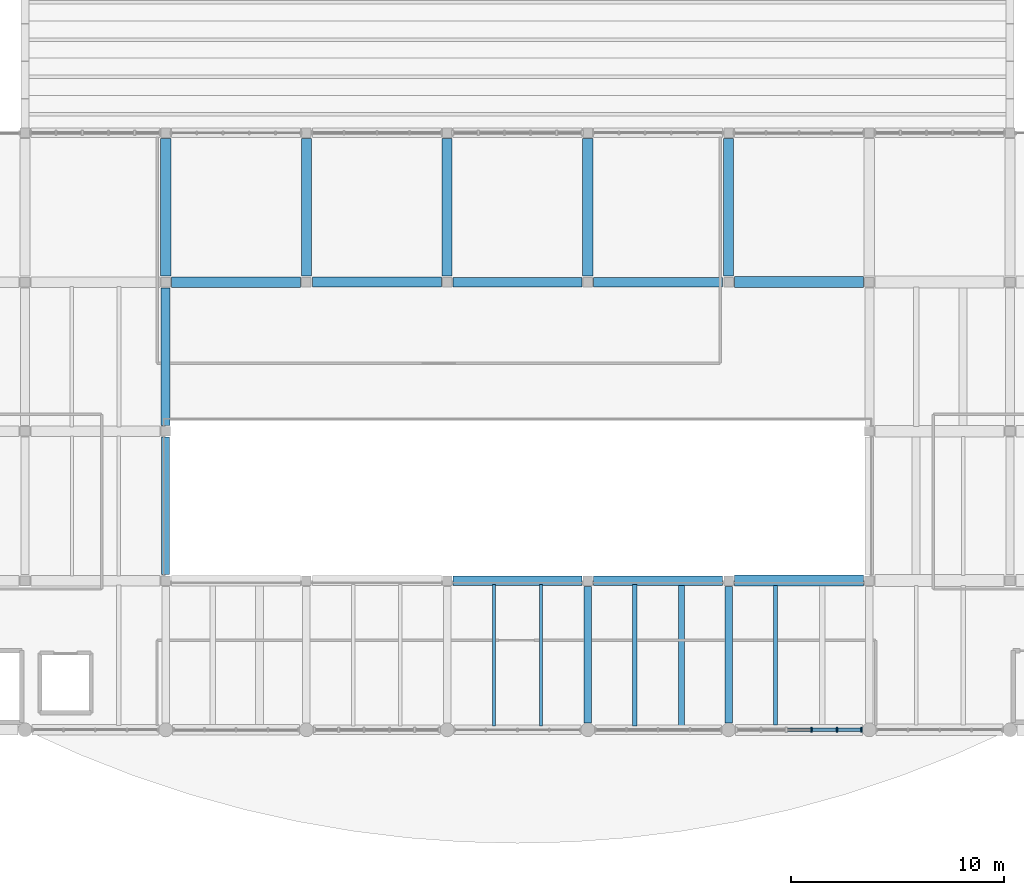
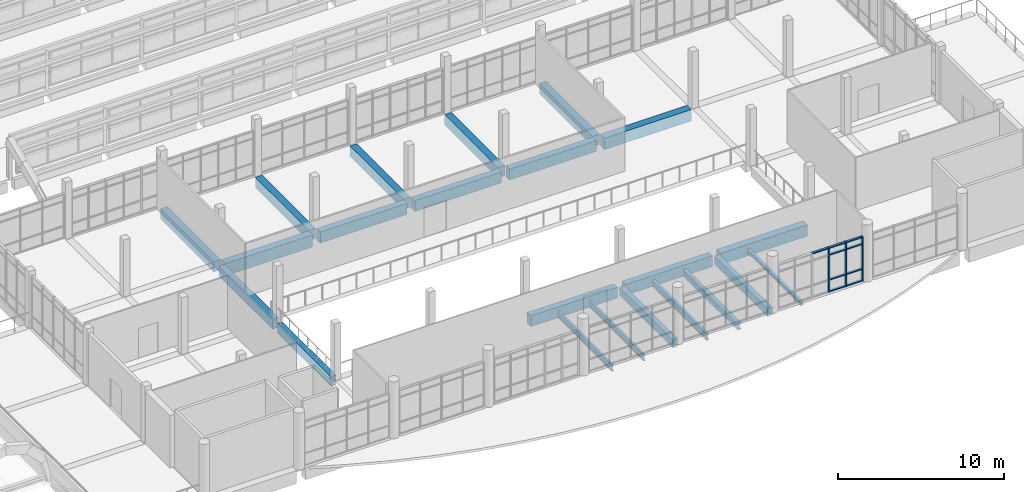
# One storey, part 10 of 92: 22 beams, 12 members, 1 element without a shape of its own.
"""IFC4 building model written with IfcOpenShell, lengths in metres."""

from ifc_helpers import new_model, si_unit, direction, frame, origin, origin_2d, place, context, subcontext, project, spatial, rectangle, i_section, extrude, material, material_profile, profile_set, type_object, element, aggregate, save


model = new_model("IFC4")

# Units and contexts
model_context = context("Model", 3, precision=1e-05, world=origin(), true_north=direction((0.0, 1.0)))
body_context = subcontext(model_context, "Body", "Model", "MODEL_VIEW")
ifc_project = project(units=[si_unit("LENGTHUNIT", "METRE"), si_unit("AREAUNIT", "SQUARE_METRE"), si_unit("VOLUMEUNIT", "CUBIC_METRE"), si_unit("PLANEANGLEUNIT", "RADIAN"), si_unit("MASSUNIT", "GRAM", prefix="KILO")], contexts=[model_context])

# Site, building, storey
site_placement = place(None, origin())
site = spatial("IfcSite", under=ifc_project, at=site_placement, CompositionType="ELEMENT")
building_placement = place(site_placement, origin())
building = spatial("IfcBuilding", under=site, at=building_placement, Name="Ciguamira Faculty of Natural Sciences", CompositionType="ELEMENT")
storey_placement = place(building_placement, frame((0.0, 0.0, 16.800048828125)))
storey = spatial("IfcBuildingStorey", under=building, at=storey_placement, Name="L04", CompositionType="ELEMENT", Elevation=16.800048828125)

# Curtain wall, members
ifc_material_1 = material(Name="Anodized aluminium curtain wall", Category="aluminium")
curtain_wall_type = type_object("IfcCurtainWallType", Name="CurtainWall_CW-03", PredefinedType="USERDEFINED", material=ifc_material_1)
curtain_wall_placement = place(storey_placement, origin())
curtain_wall = element("IfcCurtainWall", 1, at=curtain_wall_placement, inside=storey, type_object=curtain_wall_type, Name="L04 unitised curtain wall 0111", ObjectType="UNITISED CURTAIN WALL", PredefinedType="USERDEFINED")
ifc_material_2 = material(Name="Anodized aluminium mullion", Category="aluminium")
ifc_material_profile_1 = material_profile(ifc_material_2, rectangle(XDim=0.080078125, YDim=0.219970703125, at=origin_2d()), Name="ALU-MUL-80X220")
ifc_profile_set_1 = profile_set([ifc_material_profile_1], Name="Anodized aluminium mullion")
member_type_1 = type_object("IfcMemberType", Name="CWMullion_CWM-03", PredefinedType="MULLION", material=ifc_profile_set_1)
member_1_placement = place(storey_placement, frame((100.794921875, 10.0, 0.0), z_axis=(0.0, 0.0, 1.0), x_axis=(1.0, 0.0, 0.0)))
member_1 = element("IfcMember", 2, at=member_1_placement, type_object=member_type_1, Name="CW-03 mullion 4", PredefinedType="MULLION", context=body_context, shape_type="SweptSolid", body=[
    extrude(rectangle(XDim=0.080078125, YDim=0.219970703125, at=origin_2d()), origin(), (0.0, 0.0, 1.0), 3.284912109375),
])
member_2_placement = place(storey_placement, frame((101.985107421875, 10.0, 0.0), z_axis=(0.0, 0.0, 1.0), x_axis=(1.0, 0.0, 0.0)))
member_2 = element("IfcMember", 3, at=member_2_placement, type_object=member_type_1, Name="CW-03 mullion 5", PredefinedType="MULLION", context=body_context, shape_type="SweptSolid", body=[
    extrude(rectangle(XDim=0.080078125, YDim=0.219970703125, at=origin_2d()), origin(), (0.0, 0.0, 1.0), 3.284912109375),
])
member_3_placement = place(storey_placement, frame((103.135009765625, 10.0, 0.0), z_axis=(0.0, 0.0, 1.0), x_axis=(1.0, 0.0, 0.0)))
member_3 = element("IfcMember", 4, at=member_3_placement, type_object=member_type_1, Name="CW-03 mullion 6", PredefinedType="MULLION", context=body_context, shape_type="SweptSolid", body=[
    extrude(rectangle(XDim=0.080078125, YDim=0.219970703125, at=origin_2d()), origin(), (0.0, 0.0, 1.0), 3.284912109375),
])
ifc_material_3 = material(Name="Anodized aluminium transom", Category="aluminium")
ifc_material_profile_2 = material_profile(ifc_material_3, rectangle(XDim=0.080078125, YDim=0.159912109375, at=origin_2d()), Name="ALU-TRN-80X160")
ifc_profile_set_2 = profile_set([ifc_material_profile_2], Name="Anodized aluminium transom")
member_type_2 = type_object("IfcMemberType", Name="CWTransom_CWT-03", PredefinedType="USERDEFINED", material=ifc_profile_set_2)
member_4_placement = place(storey_placement, frame((99.64501953125, 10.0, 3.244873046875), z_axis=(1.0, 0.0, 0.0), x_axis=(0.0, 0.0, 1.0)))
member_4 = element("IfcMember", 5, at=member_4_placement, type_object=member_type_2, Name="CW-03 transom 3.4", ObjectType="TRANSOM", PredefinedType="USERDEFINED", context=body_context, shape_type="SweptSolid", body=[
    extrude(rectangle(XDim=0.080078125, YDim=0.159912109375, at=origin_2d()), origin(), (0.0, 0.0, 1.0), 1.10986328125),
])
member_5_placement = place(storey_placement, frame((100.8349609375, 10.0, 0.0400390625), z_axis=(1.0, 0.0, 0.0), x_axis=(0.0, 0.0, 1.0)))
member_5 = element("IfcMember", 6, at=member_5_placement, type_object=member_type_2, Name="CW-03 transom 4.1", ObjectType="TRANSOM", PredefinedType="USERDEFINED", context=body_context, shape_type="SweptSolid", body=[
    extrude(rectangle(XDim=0.080078125, YDim=0.159912109375, at=origin_2d()), origin(), (0.0, 0.0, 1.0), 1.110107421875),
])
member_6_placement = place(storey_placement, frame((100.8349609375, 10.0, 0.89990234375), z_axis=(1.0, 0.0, 0.0), x_axis=(0.0, 0.0, 1.0)))
member_6 = element("IfcMember", 7, at=member_6_placement, type_object=member_type_2, Name="CW-03 transom 4.2", ObjectType="TRANSOM", PredefinedType="USERDEFINED", context=body_context, shape_type="SweptSolid", body=[
    extrude(rectangle(XDim=0.080078125, YDim=0.159912109375, at=origin_2d()), origin(), (0.0, 0.0, 1.0), 1.110107421875),
])
member_7_placement = place(storey_placement, frame((100.8349609375, 10.0, 2.73486328125), z_axis=(1.0, 0.0, 0.0), x_axis=(0.0, 0.0, 1.0)))
member_7 = element("IfcMember", 8, at=member_7_placement, type_object=member_type_2, Name="CW-03 transom 4.3", ObjectType="TRANSOM", PredefinedType="USERDEFINED", context=body_context, shape_type="SweptSolid", body=[
    extrude(rectangle(XDim=0.080078125, YDim=0.159912109375, at=origin_2d()), origin(), (0.0, 0.0, 1.0), 1.110107421875),
])
member_8_placement = place(storey_placement, frame((100.8349609375, 10.0, 3.244873046875), z_axis=(1.0, 0.0, 0.0), x_axis=(0.0, 0.0, 1.0)))
member_8 = element("IfcMember", 9, at=member_8_placement, type_object=member_type_2, Name="CW-03 transom 4.4", ObjectType="TRANSOM", PredefinedType="USERDEFINED", context=body_context, shape_type="SweptSolid", body=[
    extrude(rectangle(XDim=0.080078125, YDim=0.159912109375, at=origin_2d()), origin(), (0.0, 0.0, 1.0), 1.110107421875),
])
member_9_placement = place(storey_placement, frame((102.02490234375, 10.0, 0.0400390625), z_axis=(1.0, 0.0, 0.0), x_axis=(0.0, 0.0, 1.0)))
member_9 = element("IfcMember", 10, at=member_9_placement, type_object=member_type_2, Name="CW-03 transom 5.1", ObjectType="TRANSOM", PredefinedType="USERDEFINED", context=body_context, shape_type="SweptSolid", body=[
    extrude(rectangle(XDim=0.080078125, YDim=0.159912109375, at=origin_2d()), origin(), (0.0, 0.0, 1.0), 1.070068359375),
])
member_10_placement = place(storey_placement, frame((102.02490234375, 10.0, 0.89990234375), z_axis=(1.0, 0.0, 0.0), x_axis=(0.0, 0.0, 1.0)))
member_10 = element("IfcMember", 11, at=member_10_placement, type_object=member_type_2, Name="CW-03 transom 5.2", ObjectType="TRANSOM", PredefinedType="USERDEFINED", context=body_context, shape_type="SweptSolid", body=[
    extrude(rectangle(XDim=0.080078125, YDim=0.159912109375, at=origin_2d()), origin(), (0.0, 0.0, 1.0), 1.070068359375),
])
member_11_placement = place(storey_placement, frame((102.02490234375, 10.0, 2.73486328125), z_axis=(1.0, 0.0, 0.0), x_axis=(0.0, 0.0, 1.0)))
member_11 = element("IfcMember", 12, at=member_11_placement, type_object=member_type_2, Name="CW-03 transom 5.3", ObjectType="TRANSOM", PredefinedType="USERDEFINED", context=body_context, shape_type="SweptSolid", body=[
    extrude(rectangle(XDim=0.080078125, YDim=0.159912109375, at=origin_2d()), origin(), (0.0, 0.0, 1.0), 1.070068359375),
])
member_12_placement = place(storey_placement, frame((102.02490234375, 10.0, 3.244873046875), z_axis=(1.0, 0.0, 0.0), x_axis=(0.0, 0.0, 1.0)))
member_12 = element("IfcMember", 13, at=member_12_placement, type_object=member_type_2, Name="CW-03 transom 5.4", ObjectType="TRANSOM", PredefinedType="USERDEFINED", context=body_context, shape_type="SweptSolid", body=[
    extrude(rectangle(XDim=0.080078125, YDim=0.159912109375, at=origin_2d()), origin(), (0.0, 0.0, 1.0), 1.070068359375),
])
aggregate(curtain_wall, [member_1, member_2, member_3, member_4, member_5, member_6, member_7, member_8, member_9, member_10, member_11, member_12])

# Beams
ifc_material_4 = material(Name="Concrete C40/50", Category="concrete")
ifc_material_profile_3 = material_profile(ifc_material_4, rectangle(XDim=0.5, YDim=0.89990234375, at=origin_2d()), Name="RC-BM-500X900")
ifc_profile_set_3 = profile_set([ifc_material_profile_3], Name="Concrete C40/50")
beam_type_1 = type_object("IfcBeamType", Name="RCBeam_BG-03_RC-BM-500X900", PredefinedType="BEAM", material=ifc_profile_set_3)
beam_1_placement = place(storey_placement, frame((70.77490234375, 31.0, -0.449951171875), z_axis=(1.0, 0.0, 0.0), x_axis=(0.0, 1.0, 0.0)))
element("IfcBeam", 14, at=beam_1_placement, inside=storey, type_object=beam_type_1, Name="L04 RC girder EW-1354", PredefinedType="BEAM", context=body_context, shape_type="SweptSolid", body=[
    extrude(rectangle(XDim=0.5, YDim=0.89990234375, at=origin_2d()), origin(), (0.0, 0.0, 1.0), 6.050048828125),
])
ifc_material_profile_4 = material_profile(ifc_material_4, rectangle(XDim=0.4599609375, YDim=0.820068359375, at=origin_2d()), Name="RC-BM-460X820")
ifc_profile_set_4 = profile_set([ifc_material_profile_4], Name="Concrete C40/50")
beam_type_2 = type_object("IfcBeamType", Name="RCBeam_BG-04_RC-BM-460X820", PredefinedType="BEAM", material=ifc_profile_set_4)
beam_2_placement = place(storey_placement, frame((77.375, 31.0, -0.41015625), z_axis=(1.0, 0.0, 0.0), x_axis=(0.0, 1.0, 0.0)))
element("IfcBeam", 15, at=beam_2_placement, inside=storey, type_object=beam_type_2, Name="L04 RC girder EW-1355", PredefinedType="BEAM", context=body_context, shape_type="SweptSolid", body=[
    extrude(rectangle(XDim=0.4599609375, YDim=0.820068359375, at=origin_2d()), origin(), (0.0, 0.0, 1.0), 6.050048828125),
])
ifc_material_profile_5 = material_profile(ifc_material_4, rectangle(XDim=0.449951171875, YDim=0.800048828125, at=origin_2d()), Name="RC-BM-450X800")
ifc_profile_set_5 = profile_set([ifc_material_profile_5], Name="Concrete C40/50")
beam_type_3 = type_object("IfcBeamType", Name="RCBeam_BG-05_RC-BM-450X800", PredefinedType="BEAM", material=ifc_profile_set_5)
beam_3_placement = place(storey_placement, frame((83.97509765625, 17.0, -0.400146484375), z_axis=(1.0, 0.0, 0.0), x_axis=(0.0, 1.0, 0.0)))
element("IfcBeam", 16, at=beam_3_placement, inside=storey, type_object=beam_type_3, Name="L04 RC girder EW-1339", PredefinedType="BEAM", context=body_context, shape_type="SweptSolid", body=[
    extrude(rectangle(XDim=0.449951171875, YDim=0.800048828125, at=origin_2d()), origin(), (0.0, 0.0, 1.0), 6.0498046875),
])
beam_4_placement = place(storey_placement, frame((90.574951171875, 17.0, -0.400146484375), z_axis=(1.0, 0.0, 0.0), x_axis=(0.0, 1.0, 0.0)))
element("IfcBeam", 17, at=beam_4_placement, inside=storey, type_object=beam_type_3, Name="L04 RC girder EW-1340", PredefinedType="BEAM", context=body_context, shape_type="SweptSolid", body=[
    extrude(rectangle(XDim=0.449951171875, YDim=0.800048828125, at=origin_2d()), origin(), (0.0, 0.0, 1.0), 6.050048828125),
])
beam_5_placement = place(storey_placement, frame((83.97509765625, 31.0, -0.400146484375), z_axis=(1.0, 0.0, 0.0), x_axis=(0.0, 1.0, 0.0)))
element("IfcBeam", 18, at=beam_5_placement, inside=storey, type_object=beam_type_3, Name="L04 RC girder EW-1356", PredefinedType="BEAM", context=body_context, shape_type="SweptSolid", body=[
    extrude(rectangle(XDim=0.449951171875, YDim=0.800048828125, at=origin_2d()), origin(), (0.0, 0.0, 1.0), 6.0498046875),
])
beam_6_placement = place(storey_placement, frame((90.574951171875, 31.0, -0.400146484375), z_axis=(1.0, 0.0, 0.0), x_axis=(0.0, 1.0, 0.0)))
element("IfcBeam", 19, at=beam_6_placement, inside=storey, type_object=beam_type_3, Name="L04 RC girder EW-1357", PredefinedType="BEAM", context=body_context, shape_type="SweptSolid", body=[
    extrude(rectangle(XDim=0.449951171875, YDim=0.800048828125, at=origin_2d()), origin(), (0.0, 0.0, 1.0), 6.050048828125),
])
ifc_material_profile_6 = material_profile(ifc_material_4, rectangle(XDim=0.419921875, YDim=0.739990234375, at=origin_2d()), Name="RC-BM-420X740")
ifc_profile_set_6 = profile_set([ifc_material_profile_6], Name="Concrete C40/50")
beam_type_4 = type_object("IfcBeamType", Name="RCBeam_BG-07_RC-BM-420X740", PredefinedType="BEAM", material=ifc_profile_set_6)
beam_7_placement = place(storey_placement, frame((70.5, 24.27490234375, -0.3701171875), z_axis=(0.0, 1.0, 0.0), x_axis=(-1.0, 0.0, 0.0)))
element("IfcBeam", 20, at=beam_7_placement, inside=storey, type_object=beam_type_4, Name="L04 girder NS-1401", PredefinedType="BEAM", context=body_context, shape_type="SweptSolid", body=[
    extrude(rectangle(XDim=0.419921875, YDim=0.739990234375, at=origin_2d()), origin(), (0.0, 0.0, 1.0), 6.4501953125),
])
ifc_material_profile_7 = material_profile(ifc_material_4, rectangle(XDim=0.3798828125, YDim=0.679931640625, at=origin_2d()), Name="RC-BM-380X680")
ifc_profile_set_7 = profile_set([ifc_material_profile_7], Name="Concrete C40/50")
beam_type_5 = type_object("IfcBeamType", Name="RCBeam_BG-09_RC-BM-380X680", PredefinedType="BEAM", material=ifc_profile_set_7)
beam_8_placement = place(storey_placement, frame((70.5, 17.27490234375, -0.340087890625), z_axis=(0.0, 1.0, 0.0), x_axis=(-1.0, 0.0, 0.0)))
element("IfcBeam", 21, at=beam_8_placement, inside=storey, type_object=beam_type_5, Name="L04 girder NS-1400", PredefinedType="BEAM", context=body_context, shape_type="SweptSolid", body=[
    extrude(rectangle(XDim=0.3798828125, YDim=0.679931640625, at=origin_2d()), origin(), (0.0, 0.0, 1.0), 6.4501953125),
])
ifc_material_profile_8 = material_profile(ifc_material_4, rectangle(XDim=0.35009765625, YDim=0.60009765625, at=origin_2d()), Name="RC-BM-350X600")
ifc_profile_set_8 = profile_set([ifc_material_profile_8], Name="Concrete C40/50")
beam_type_6 = type_object("IfcBeamType", Name="RCBeam_BG-11_RC-BM-350X600", PredefinedType="BEAM", material=ifc_profile_set_8)
for number, where, z_axis, x_axis, name in (
    (22, (90.300048828125, 10.324951171875, -0.300048828125), (0.0, 1.0, 0.0), (-1.0, 0.0, 0.0), "L04 girder NS-1414"),
    (23, (96.89990234375, 10.324951171875, -0.300048828125), (0.0, 1.0, 0.0), (-1.0, 0.0, 0.0), "L04 girder NS-1419"),
):
    element("IfcBeam", number, at=place(storey_placement, frame(where, z_axis=z_axis, x_axis=x_axis)), inside=storey, type_object=beam_type_6, Name=name, PredefinedType="BEAM", context=body_context, shape_type="SweptSolid", body=[
        extrude(rectangle(XDim=0.35009765625, YDim=0.60009765625, at=origin_2d()), origin(), (0.0, 0.0, 1.0), 6.400146484375),
    ])
ifc_material_profile_9 = material_profile(ifc_material_4, rectangle(XDim=0.47998046875, YDim=0.760009765625, at=origin_2d()), Name="RC-TB-480X760")
ifc_profile_set_9 = profile_set([ifc_material_profile_9], Name="Concrete C40/50")
beam_type_7 = type_object("IfcBeamType", Name="RCBeam_TB-01_RC-TB-480X760", PredefinedType="T_BEAM", material=ifc_profile_set_9)
for number, where, z_axis, x_axis, name in (
    (24, (70.5, 31.27490234375, -0.380126953125), (0.0, 1.0, 0.0), (-1.0, 0.0, 0.0), "L04 girder NS-1402"),
    (25, (77.10009765625, 31.27490234375, -0.380126953125), (0.0, 1.0, 0.0), (-1.0, 0.0, 0.0), "L04 girder NS-1406"),
    (26, (83.699951171875, 31.27490234375, -0.380126953125), (0.0, 1.0, 0.0), (-1.0, 0.0, 0.0), "L04 girder NS-1410"),
    (27, (90.300048828125, 31.27490234375, -0.380126953125), (0.0, 1.0, 0.0), (-1.0, 0.0, 0.0), "L04 girder NS-1415"),
    (28, (96.89990234375, 31.27490234375, -0.380126953125), (0.0, 1.0, 0.0), (-1.0, 0.0, 0.0), "L04 girder NS-1420"),
):
    element("IfcBeam", number, at=place(storey_placement, frame(where, z_axis=z_axis, x_axis=x_axis)), inside=storey, type_object=beam_type_7, Name=name, PredefinedType="T_BEAM", context=body_context, shape_type="SweptSolid", body=[
        extrude(rectangle(XDim=0.47998046875, YDim=0.760009765625, at=origin_2d()), origin(), (0.0, 0.0, 1.0), 6.4501953125),
    ])
ifc_material_profile_10 = material_profile(ifc_material_4, rectangle(XDim=0.52001953125, YDim=0.840087890625, at=origin_2d()), Name="RC-TB-520X840")
ifc_profile_set_10 = profile_set([ifc_material_profile_10], Name="Concrete C40/50")
beam_type_8 = type_object("IfcBeamType", Name="RCBeam_TB-02_RC-TB-520X840", PredefinedType="T_BEAM", material=ifc_profile_set_10)
for number, where, z_axis, x_axis, name in (
    (29, (97.175048828125, 17.0, -0.420166015625), (1.0, 0.0, 0.0), (0.0, 1.0, 0.0), "L04 RC girder EW-1341"),
    (30, (97.175048828125, 31.0, -0.420166015625), (1.0, 0.0, 0.0), (0.0, 1.0, 0.0), "L04 RC girder EW-1358"),
):
    element("IfcBeam", number, at=place(storey_placement, frame(where, z_axis=z_axis, x_axis=x_axis)), inside=storey, type_object=beam_type_8, Name=name, PredefinedType="T_BEAM", context=body_context, shape_type="SweptSolid", body=[
        extrude(rectangle(XDim=0.52001953125, YDim=0.840087890625, at=origin_2d()), origin(), (0.0, 0.0, 1.0), 6.050048828125),
    ])
ifc_material_5 = material(Name="Steel ASTM A992 Grade 50", Category="steel")
ifc_material_profile_11 = material_profile(ifc_material_5, i_section(OverallWidth=0.2021484375, OverallDepth=0.2470703125, WebThickness=0.00732421875, FlangeThickness=0.010986328125, at=origin_2d()), Name="W10X33")
ifc_profile_set_11 = profile_set([ifc_material_profile_11], Name="Steel ASTM A992 Grade 50")
beam_type_9 = type_object("IfcBeamType", Name="SteelJoist_SJ-02_W10X33", PredefinedType="JOIST", material=ifc_profile_set_11)
beam_9_placement = place(storey_placement, frame((99.10009765625, 10.219970703125, -0.423583984375), z_axis=(0.0, 1.0, 0.0), x_axis=(-1.0, 0.0, 0.0)))
element("IfcBeam", 31, at=beam_9_placement, inside=storey, type_object=beam_type_9, Name="L04 composite steel joist 01316", PredefinedType="JOIST", context=body_context, shape_type="SweptSolid", body=[
    extrude(i_section(OverallWidth=0.2021484375, OverallDepth=0.2470703125, WebThickness=0.00732421875, FlangeThickness=0.010986328125, at=origin_2d()), origin(), (0.0, 0.0, 1.0), 6.56005859375),
])
ifc_material_profile_12 = material_profile(ifc_material_5, i_section(OverallWidth=0.15234375, OverallDepth=0.449462890625, WebThickness=0.007568359375, FlangeThickness=0.0107421875, at=origin_2d()), Name="W18X35")
ifc_profile_set_12 = profile_set([ifc_material_profile_12], Name="Steel ASTM A992 Grade 50")
beam_type_10 = type_object("IfcBeamType", Name="SteelJoist_SJ-21_W18X35", PredefinedType="JOIST", material=ifc_profile_set_12)
beam_10_placement = place(storey_placement, frame((85.89990234375, 10.18505859375, -0.52490234375), z_axis=(0.0, 1.0, 0.0), x_axis=(-1.0, 0.0, 0.0)))
element("IfcBeam", 32, at=beam_10_placement, inside=storey, type_object=beam_type_10, Name="L04 composite steel joist 01304", PredefinedType="JOIST", context=body_context, shape_type="SweptSolid", body=[
    extrude(i_section(OverallWidth=0.15234375, OverallDepth=0.449462890625, WebThickness=0.007568359375, FlangeThickness=0.0107421875, at=origin_2d()), origin(), (0.0, 0.0, 1.0), 6.6298828125),
])
ifc_material_profile_13 = material_profile(ifc_material_5, i_section(OverallWidth=0.15283203125, OverallDepth=0.45458984375, WebThickness=0.008056640625, FlangeThickness=0.013427734375, at=origin_2d()), Name="W18X40")
ifc_profile_set_13 = profile_set([ifc_material_profile_13], Name="Steel ASTM A992 Grade 50")
beam_type_11 = type_object("IfcBeamType", Name="SteelJoist_SJ-22_W18X40", PredefinedType="JOIST", material=ifc_profile_set_13)
beam_11_placement = place(storey_placement, frame((88.10009765625, 10.18505859375, -0.52734375), z_axis=(0.0, 1.0, 0.0), x_axis=(-1.0, 0.0, 0.0)))
element("IfcBeam", 33, at=beam_11_placement, inside=storey, type_object=beam_type_11, Name="L04 composite steel joist 01305", PredefinedType="JOIST", context=body_context, shape_type="SweptSolid", body=[
    extrude(i_section(OverallWidth=0.15283203125, OverallDepth=0.45458984375, WebThickness=0.008056640625, FlangeThickness=0.013427734375, at=origin_2d()), origin(), (0.0, 0.0, 1.0), 6.6298828125),
])
ifc_material_profile_14 = material_profile(ifc_material_5, i_section(OverallWidth=0.19287109375, OverallDepth=0.46728515625, WebThickness=0.011474609375, FlangeThickness=0.01904296875, at=origin_2d()), Name="W18X65")
ifc_profile_set_14 = profile_set([ifc_material_profile_14], Name="Steel ASTM A992 Grade 50")
beam_type_12 = type_object("IfcBeamType", Name="SteelJoist_SJ-24_W18X65", PredefinedType="JOIST", material=ifc_profile_set_14)
beam_12_placement = place(storey_placement, frame((92.5, 10.18505859375, -0.53369140625), z_axis=(0.0, 1.0, 0.0), x_axis=(-1.0, 0.0, 0.0)))
element("IfcBeam", 34, at=beam_12_placement, inside=storey, type_object=beam_type_12, Name="L04 composite steel joist 01310", PredefinedType="JOIST", context=body_context, shape_type="SweptSolid", body=[
    extrude(i_section(OverallWidth=0.19287109375, OverallDepth=0.46728515625, WebThickness=0.011474609375, FlangeThickness=0.01904296875, at=origin_2d()), origin(), (0.0, 0.0, 1.0), 6.6298828125),
])
ifc_material_profile_15 = material_profile(ifc_material_5, i_section(OverallWidth=0.279296875, OverallDepth=0.462158203125, WebThickness=0.0107421875, FlangeThickness=0.017333984375, at=origin_2d()), Name="W18X76")
ifc_profile_set_15 = profile_set([ifc_material_profile_15], Name="Steel ASTM A992 Grade 50")
beam_type_13 = type_object("IfcBeamType", Name="SteelJoist_SJ-25_W18X76", PredefinedType="JOIST", material=ifc_profile_set_15)
beam_13_placement = place(storey_placement, frame((94.699951171875, 10.18505859375, -0.53125), z_axis=(0.0, 1.0, 0.0), x_axis=(-1.0, 0.0, 0.0)))
element("IfcBeam", 35, at=beam_13_placement, inside=storey, type_object=beam_type_13, Name="L04 composite steel joist 01311", PredefinedType="JOIST", context=body_context, shape_type="SweptSolid", body=[
    extrude(i_section(OverallWidth=0.279296875, OverallDepth=0.462158203125, WebThickness=0.0107421875, FlangeThickness=0.017333984375, at=origin_2d()), origin(), (0.0, 0.0, 1.0), 6.6298828125),
])

save(model, "model.ifc")
